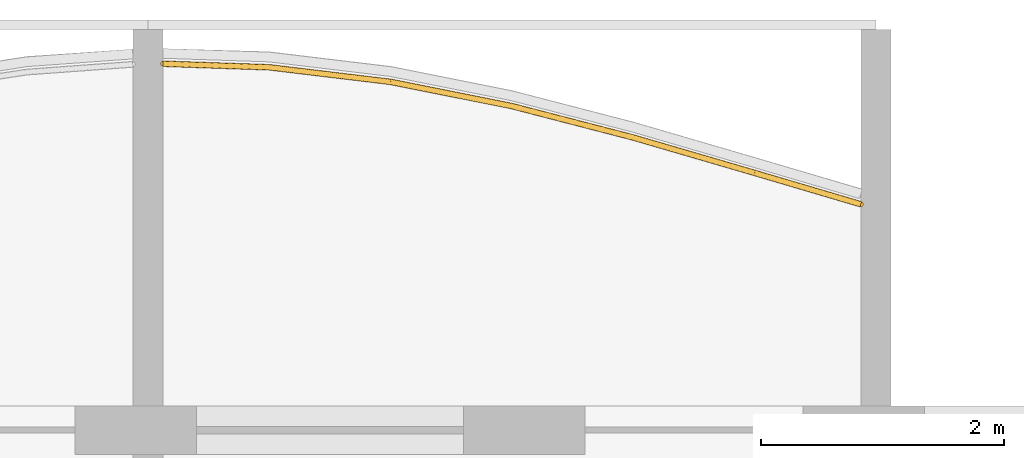
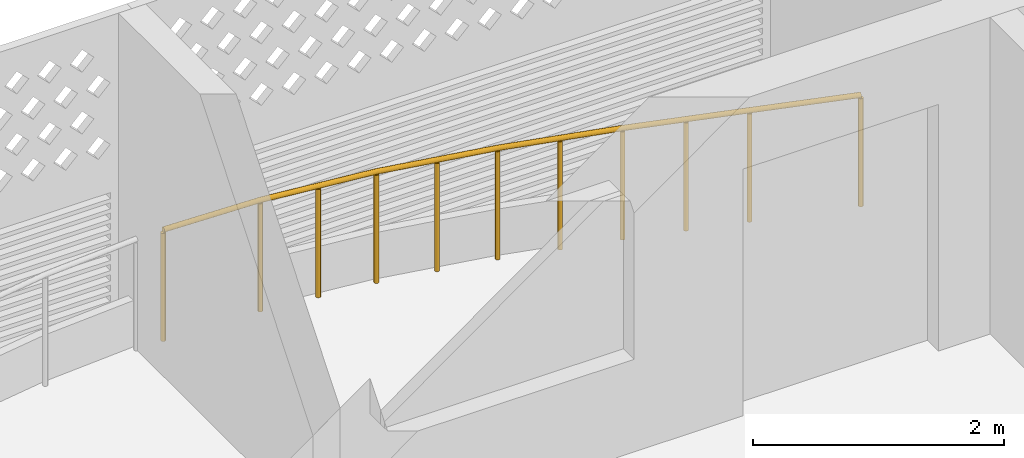
# One storey, part 22 of 29: 1 railing.
"""IFC4 building model written with IfcOpenShell, lengths in metres."""

from ifc_helpers import new_model, si_unit, direction, frame, origin, origin_2d, place, context, subcontext, project, spatial, circle, extrude, material, type_object, element, save


model = new_model("IFC4")

# Units and contexts
model_context = context("Model", 3, precision=1e-05, world=origin(), true_north=direction((0.0, 1.0)))
body_context = subcontext(model_context, "Body", "Model", "MODEL_VIEW")
ifc_project = project(units=[si_unit("LENGTHUNIT", "METRE"), si_unit("AREAUNIT", "SQUARE_METRE"), si_unit("VOLUMEUNIT", "CUBIC_METRE"), si_unit("PLANEANGLEUNIT", "RADIAN"), si_unit("MASSUNIT", "GRAM", prefix="KILO")], contexts=[model_context])

# Site, building, storey
site_placement = place(None, origin())
site = spatial("IfcSite", under=ifc_project, at=site_placement, CompositionType="ELEMENT")
building_placement = place(site_placement, origin())
building = spatial("IfcBuilding", under=site, at=building_placement, Name="Poui Terraces", CompositionType="ELEMENT")
storey_placement = place(building_placement, frame((0.0, 0.0, 234.60009765625)))
storey = spatial("IfcBuildingStorey", under=building, at=storey_placement, Name="L65", CompositionType="ELEMENT", Elevation=234.60009765625)

# Railing
ifc_material = material(Name="Painted steel fretwork", Category="steel")
railing_type = type_object("IfcRailingType", Name="BALCONY GUARD 1100", PredefinedType="GUARDRAIL", material=ifc_material)
railing_placement = place(storey_placement, frame((48.125, 44.2197265625, 0.0)))
element("IfcRailing", 1, at=railing_placement, inside=storey, type_object=railing_type, Name="BALCONY GUARD", PredefinedType="GUARDRAIL", context=body_context, shape_type="SweptSolid", body=[
    extrude(circle(Radius=0.02392578125, at=origin_2d()), frame((0.0, 0.0, 1.076171875), z_axis=(0.999430578744, -0.033741936392, 0.0), x_axis=(0.033741936392, 0.999430578744, 0.0)), (0.0, 0.0, 1.0), 0.87548828125),
    extrude(circle(Radius=0.02392578125, at=origin_2d()), frame((0.875, -0.029541015625, 1.076171875), z_axis=(0.992863067926, -0.119259919292, 0.0), x_axis=(0.119259919292, 0.992863067926, 0.0)), (0.0, 0.0, 1.0), 1.007080078125),
    extrude(circle(Radius=0.02392578125, at=origin_2d()), frame((1.875, -0.149658203125, 1.076171875), z_axis=(0.980635885947, -0.19583988152, 0.0), x_axis=(0.19583988152, 0.980635885947, 0.0)), (0.0, 0.0, 1.0), 1.019775390625),
    extrude(circle(Radius=0.02392578125, at=origin_2d()), frame((2.875, -0.349365234375, 1.076171875), z_axis=(0.968050037836, -0.250757102086, 0.0), x_axis=(0.250757102086, 0.968050037836, 0.0)), (0.0, 0.0, 1.0), 1.032958984375),
    extrude(circle(Radius=0.02392578125, at=origin_2d()), frame((3.875, -0.6083984375, 1.076171875), z_axis=(0.960041991036, -0.279855990551, 0.0), x_axis=(0.279855990551, 0.960041991036, 0.0)), (0.0, 0.0, 1.0), 1.04150390625),
    extrude(circle(Radius=0.02392578125, at=origin_2d()), frame((4.875, -0.89990234375, 1.076171875), z_axis=(0.959083787793, -0.283122390481, 0.0), x_axis=(0.283122390481, 0.959083787793, 0.0)), (0.0, 0.0, 1.0), 0.912353515625),
    extrude(circle(Radius=0.02099609375, at=origin_2d()), origin(), (0.0, 0.0, 1.0), 1.052001953125),
    extrude(circle(Radius=0.02099609375, at=origin_2d()), frame((0.875, -0.029541015625, 0.0)), (0.0, 0.0, 1.0), 1.052001953125),
    extrude(circle(Radius=0.02099609375, at=origin_2d()), frame((1.375, -0.089599609375, 0.0)), (0.0, 0.0, 1.0), 1.052001953125),
    extrude(circle(Radius=0.02099609375, at=origin_2d()), frame((1.875, -0.149658203125, 0.0)), (0.0, 0.0, 1.0), 1.052001953125),
    extrude(circle(Radius=0.02099609375, at=origin_2d()), frame((2.375, -0.24951171875, 0.0)), (0.0, 0.0, 1.0), 1.052001953125),
    extrude(circle(Radius=0.02099609375, at=origin_2d()), frame((2.875, -0.349365234375, 0.0)), (0.0, 0.0, 1.0), 1.052001953125),
    extrude(circle(Radius=0.02099609375, at=origin_2d()), frame((3.375, -0.47900390625, 0.0)), (0.0, 0.0, 1.0), 1.052001953125),
    extrude(circle(Radius=0.02099609375, at=origin_2d()), frame((3.875, -0.6083984375, 0.0)), (0.0, 0.0, 1.0), 1.052001953125),
    extrude(circle(Radius=0.02099609375, at=origin_2d()), frame((4.375, -0.754150390625, 0.0)), (0.0, 0.0, 1.0), 1.052001953125),
    extrude(circle(Radius=0.02099609375, at=origin_2d()), frame((4.875, -0.89990234375, 0.0)), (0.0, 0.0, 1.0), 1.052001953125),
    extrude(circle(Radius=0.02099609375, at=origin_2d()), frame((5.75, -1.158203125, 0.0)), (0.0, 0.0, 1.0), 1.052001953125),
])

save(model, "model.ifc")
